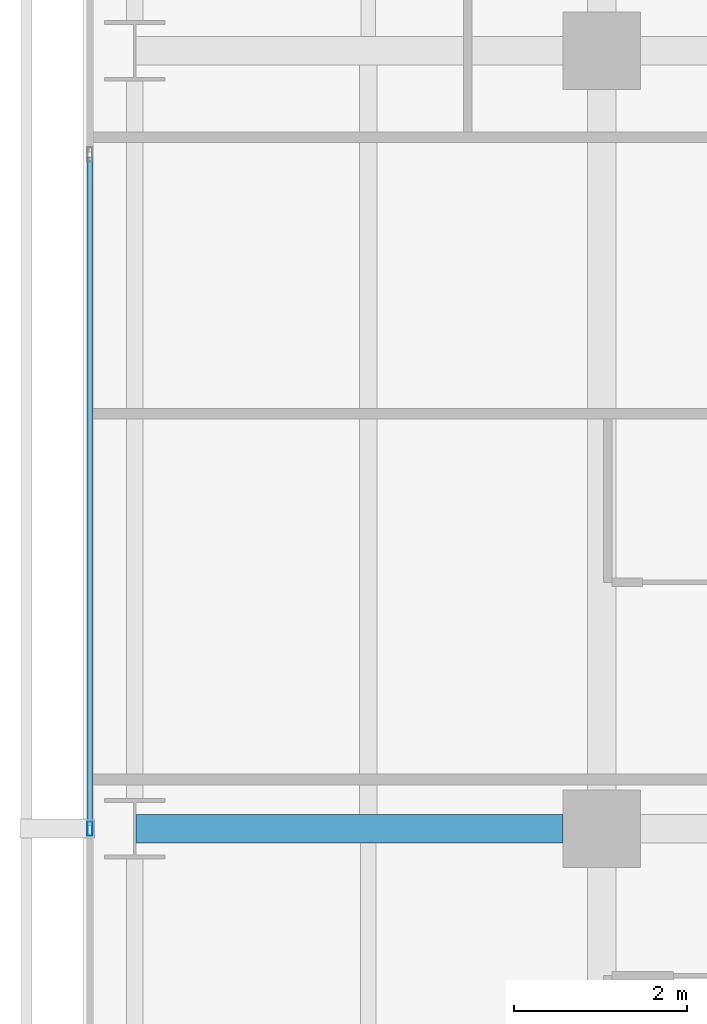
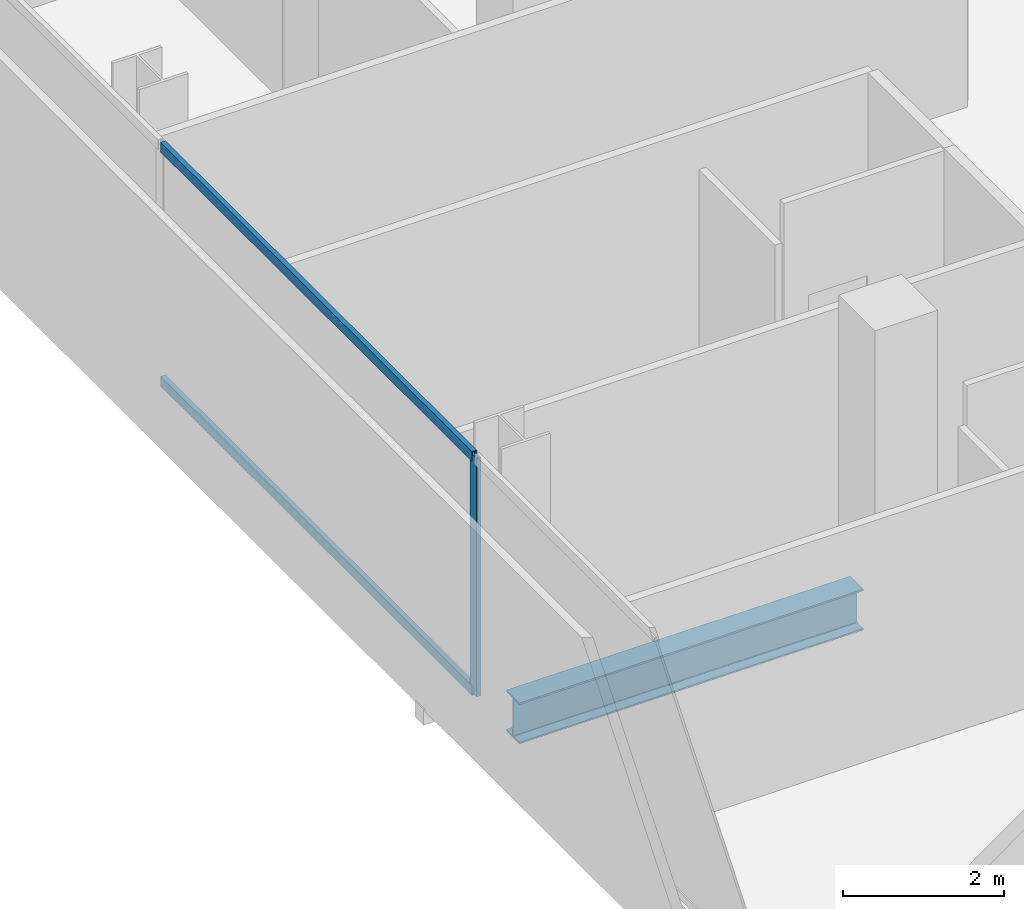
# One storey, part 12 of 40: 3 members, 1 beam, 1 element without a shape of its own.
"""IFC4 building model written with IfcOpenShell, lengths in metres."""

import ifcopenshell
import ifcopenshell.guid

model = None  # the IFC model being written
_history = None  # IfcOwnerHistory: only IFC2X3 demands one
_inside = {}  # id of a spatial element -> (the spatial element, [elements in it])
_under = {}  # id of a project, library or spatial element -> (it, [spatial elements below it])
_declared = {}  # id of a project -> (the project, [libraries it declares])
_typed = {}  # id of a type object -> (the type object, [elements of that type])
_made_of = {}  # id of a material, layer set ... -> (it, [elements and type objects made of it])


def new_model(schema):
    """Start an empty IFC model of exactly this schema.

    Asked for "IFC4X3", IfcOpenShell would pick the latest addendum, in which some entities
    have other attributes; the version numbers below select the first issue.
    IFC2X3 requires an IfcOwnerHistory on every rooted entity: one is made here for all.
    """
    global model, _history
    if schema == "IFC4X3":
        model = ifcopenshell.file(schema_version=(4, 3, 0, 0))
    else:
        model = ifcopenshell.file(schema=schema)
    _inside.clear()
    _under.clear()
    _declared.clear()
    _typed.clear()
    _made_of.clear()
    _history = None
    if model.schema == "IFC2X3":
        org = make("IfcOrganization", Name="unknown")
        user = make(
            "IfcPersonAndOrganization",
            ThePerson=make("IfcPerson", FamilyName="unknown"),
            TheOrganization=org,
        )
        app = make(
            "IfcApplication",
            ApplicationDeveloper=org,
            Version="unknown",
            ApplicationFullName="unknown",
            ApplicationIdentifier="unknown",
        )
        _history = make(
            "IfcOwnerHistory",
            OwningUser=user,
            OwningApplication=app,
            ChangeAction="ADDED",
            CreationDate=0,
        )
    return model


def make(cls, **values):
    """One entity of the class cls with the attributes given. An attribute that is None is left unset."""
    return model.create_entity(
        cls, **{name: value for name, value in values.items() if value is not None}
    )


def rooted(cls, **values):
    """An entity with a GlobalId (a new one), such as an element, a storey or a relation."""
    return make(cls, GlobalId=ifcopenshell.guid.new(), OwnerHistory=_history, **values)


def si_unit(unit_type, name, prefix=None):
    """IfcSIUnit, for example si_unit("LENGTHUNIT", "METRE", prefix="MILLI")."""
    return make("IfcSIUnit", UnitType=unit_type, Prefix=prefix, Name=name)


def assignment(units):
    """IfcUnitAssignment: the units of a project."""
    return None if units is None else make("IfcUnitAssignment", Units=units)


def point(xyz):
    """IfcCartesianPoint."""
    return None if xyz is None else make("IfcCartesianPoint", Coordinates=xyz)


def direction(xyz):
    """IfcDirection."""
    return None if xyz is None else make("IfcDirection", DirectionRatios=xyz)


def frame(location, z_axis=None, x_axis=None):
    """IfcAxis2Placement3D, a coordinate frame: its origin and axes. An axis left out is left unset."""
    return make(
        "IfcAxis2Placement3D",
        Location=point(location),
        Axis=direction(z_axis),
        RefDirection=direction(x_axis),
    )


def frame_2d(location, x_axis=None):
    """IfcAxis2Placement2D, a coordinate frame in the plane: its origin and x axis."""
    return make(
        "IfcAxis2Placement2D", Location=point(location), RefDirection=direction(x_axis)
    )


def origin():
    """The frame at (0, 0, 0) with its axes left unset."""
    return frame((0.0, 0.0, 0.0))


def origin_2d():
    """The frame at (0, 0) in the plane with its x axis left unset."""
    return frame_2d((0.0, 0.0))


def place(relative_to, where):
    """IfcLocalPlacement: puts the frame where relative to a parent placement (None: the world)."""
    return make(
        "IfcLocalPlacement", PlacementRelTo=relative_to, RelativePlacement=where
    )


def context(
    kind, dimensions, precision=None, world=None, true_north=None, identifier=None
):
    """IfcGeometricRepresentationContext, for example the 3D "Model" context."""
    return make(
        "IfcGeometricRepresentationContext",
        ContextIdentifier=identifier,
        ContextType=kind,
        CoordinateSpaceDimension=dimensions,
        Precision=precision,
        WorldCoordinateSystem=world,
        TrueNorth=true_north,
    )


def subcontext(parent, identifier, kind, view, scale=None):
    """IfcGeometricRepresentationSubContext, for example "Body" below "Model"."""
    return make(
        "IfcGeometricRepresentationSubContext",
        ContextIdentifier=identifier,
        ContextType=kind,
        ParentContext=parent,
        TargetScale=scale,
        TargetView=view,
    )


def project(units=None, contexts=None):
    """IfcProject with its units and contexts."""
    return rooted(
        "IfcProject",
        Name="project",
        RepresentationContexts=contexts,
        UnitsInContext=assignment(units),
    )


def spatial(cls, under=None, at=None, **own):
    """A site, building, storey or space (cls), placed at a placement, below another one or the project."""
    s = rooted(cls, ObjectPlacement=at, **own)
    if under is not None:
        _under.setdefault(under.id(), (under, []))[1].append(s)
    return s


def profile(cls, at=None, kind="AREA", **sizes):
    """A parametric profile (cls). Its sizes go by their IFC names, for example OverallWidth=200.0."""
    return make(cls, ProfileType=kind, Position=at, **sizes)


def hollow_rectangle(**sizes):
    """IfcRectangleHollowProfileDef."""
    return profile("IfcRectangleHollowProfileDef", **sizes)


def i_section(**sizes):
    """IfcIShapeProfileDef."""
    return profile("IfcIShapeProfileDef", **sizes)


def extrude(swept, where, along, depth):
    """IfcExtrudedAreaSolid: the profile swept, set in the frame where, extruded along a direction by depth."""
    return make(
        "IfcExtrudedAreaSolid",
        SweptArea=swept,
        Position=where,
        ExtrudedDirection=direction(along),
        Depth=depth,
    )


def shape(context_of_items, identifier, shape_type, items):
    """IfcShapeRepresentation: the items that make up one representation, for example the "Body"."""
    return make(
        "IfcShapeRepresentation",
        ContextOfItems=context_of_items,
        RepresentationIdentifier=identifier,
        RepresentationType=shape_type,
        Items=items,
    )


def material(Name=None, Category=None):
    """IfcMaterial."""
    return make("IfcMaterial", Name=Name, Category=Category)


def layer(
    of_material, thickness, ventilated=None, Name=None, Category=None, Priority=None
):
    """IfcMaterialLayer: one layer of a wall or slab, of a material (None: an air gap)."""
    return make(
        "IfcMaterialLayer",
        Material=of_material,
        LayerThickness=thickness,
        IsVentilated=ventilated,
        Name=Name,
        Category=Category,
        Priority=Priority,
    )


def layer_set(layers, Name=None):
    """IfcMaterialLayerSet."""
    return make("IfcMaterialLayerSet", MaterialLayers=layers, LayerSetName=Name)


def material_profile(
    of_material, cross_section, Name=None, Category=None, Priority=None
):
    """IfcMaterialProfile: a cross section and its material."""
    return make(
        "IfcMaterialProfile",
        Name=Name,
        Material=of_material,
        Profile=cross_section,
        Priority=Priority,
        Category=Category,
    )


def profile_set(profiles, Name=None, composite=None):
    """IfcMaterialProfileSet."""
    return make(
        "IfcMaterialProfileSet",
        Name=Name,
        MaterialProfiles=profiles,
        CompositeProfile=composite,
    )


def made_of(thing, what):
    """Note that an element or type object is made of a material, layer set ...; save() writes the relation."""
    if what is not None:
        _made_of.setdefault(what.id(), (what, []))[1].append(thing)
    return thing


def type_object(cls, material=None, **own):
    """A type object (cls), such as IfcWallType, which elements share."""
    return made_of(rooted(cls, **own), material)


def element(
    cls,
    number,
    at=None,
    inside=None,
    cuts=None,
    type_object=None,
    material=None,
    context=None,
    identifier="Body",
    shape_type=None,
    held_by="IfcProductDefinitionShape",
    body=None,
    shapes=None,
    **own,
):
    """One element of the class cls, such as IfcWall. Its Tag is "e" and its number.

    at: its placement. inside: the storey or other place that contains it. cuts: it is an
    opening in that element (IfcRelVoidsElement). A single representation is given by context,
    identifier, shape_type and body (its items); several are given by shapes. held_by: the class
    of the entity that holds the representations. save() writes the other relations.
    """
    e = rooted(cls, Tag="e%d" % number, ObjectPlacement=at, **own)
    if body is not None:
        shapes = [shape(context, identifier, shape_type, body)]
    if shapes is not None:
        e.Representation = make(held_by, Representations=shapes)
    if inside is not None:
        _inside.setdefault(inside.id(), (inside, []))[1].append(e)
    if cuts is not None:
        rooted(
            "IfcRelVoidsElement", RelatingBuildingElement=cuts, RelatedOpeningElement=e
        )
    if type_object is not None:
        _typed.setdefault(type_object.id(), (type_object, []))[1].append(e)
    return made_of(e, material)


def aggregate(whole, parts):
    """IfcRelAggregates: a whole, such as a stair, and the parts it consists of."""
    return rooted("IfcRelAggregates", RelatingObject=whole, RelatedObjects=parts)


def save(model, path):
    """Write the relations noted so far, then the file.

    IfcRelAggregates (storeys below a building ...), IfcRelContainedInSpatialStructure (elements
    in a storey), IfcRelDefinesByType, IfcRelAssociatesMaterial and IfcRelDeclares: one each for
    every whole, place, type object, material and project.
    """
    for whole, parts in _under.values():
        aggregate(whole, parts)
    for where, things in _inside.values():
        rooted(
            "IfcRelContainedInSpatialStructure",
            RelatedElements=things,
            RelatingStructure=where,
        )
    for kind, things in _typed.values():
        rooted("IfcRelDefinesByType", RelatedObjects=things, RelatingType=kind)
    for what, things in _made_of.values():
        rooted("IfcRelAssociatesMaterial", RelatedObjects=things, RelatingMaterial=what)
    for by, libraries in _declared.values():
        rooted("IfcRelDeclares", RelatingContext=by, RelatedDefinitions=libraries)
    model.write(path)


model = new_model("IFC4")

# Units and contexts
model_context = context("Model", 3, precision=1e-05, world=origin(), true_north=direction((0.0, 1.0)))
body_context = subcontext(model_context, "Body", "Model", "MODEL_VIEW")
ifc_project = project(units=[si_unit("LENGTHUNIT", "METRE"), si_unit("AREAUNIT", "SQUARE_METRE"), si_unit("VOLUMEUNIT", "CUBIC_METRE"), si_unit("PLANEANGLEUNIT", "RADIAN"), si_unit("MASSUNIT", "GRAM", prefix="KILO")], contexts=[model_context])

# Site, building, storey
site_placement = place(None, origin())
site = spatial("IfcSite", under=ifc_project, at=site_placement, CompositionType="ELEMENT")
building_placement = place(site_placement, origin())
building = spatial("IfcBuilding", under=site, at=building_placement, Name="Maruvema Waterfront Hotel and Observation Tower", CompositionType="ELEMENT")
storey_placement = place(building_placement, frame((0.0, 0.0, 38.5)))
storey = spatial("IfcBuildingStorey", under=building, at=storey_placement, Name="L08", CompositionType="ELEMENT", Elevation=38.5)

# Curtain wall, members
ifc_material_1 = material(Name="Anodised bronze aluminium and solar-control low-E IGU", Category="aluminium")
ifc_layer = layer(ifc_material_1, 0.159912109375, Name="Zone 1 Bronze Inner Thermal Curtain Wall System CW-02")
ifc_layer_set = layer_set([ifc_layer], Name="Anodised bronze aluminium and solar-control low-E IGU")
curtain_wall_type = type_object("IfcCurtainWallType", Name="Zone 1 Bronze Inner Thermal Curtain Wall System CW-02", PredefinedType="USERDEFINED", material=ifc_layer_set)
curtain_wall_placement = place(storey_placement, origin())
curtain_wall = element("IfcCurtainWall", 1, at=curtain_wall_placement, inside=storey, type_object=curtain_wall_type, Name="L08 Curtain Wall CW-L08-W", ObjectType="UNITISED CURTAIN WALL", PredefinedType="USERDEFINED")
ifc_material_2 = material(Name="Anodised architectural bronze aluminium", Category="aluminium")
ifc_material_profile_1 = material_profile(ifc_material_2, hollow_rectangle(XDim=0.070068359375, YDim=0.14990234375, WallThickness=0.00390625, at=origin_2d()), Name="ALU-T70x150")
ifc_profile_set_1 = profile_set([ifc_material_profile_1], Name="Anodised architectural bronze aluminium")
member_type_1 = type_object("IfcMemberType", Name="Curtain Wall Horizontal Transom ALU-T70x150", PredefinedType="USERDEFINED", material=ifc_profile_set_1)
member_1_placement = place(storey_placement, frame((10.8798828125, 34.77001953125, 0.030029296875), z_axis=(0.0, -1.0, 0.0), x_axis=(1.0, 0.0, 0.0)))
member_1 = element("IfcMember", 2, at=member_1_placement, type_object=member_type_1, Name="CW-02 transom 3.1", ObjectType="TRANSOM", PredefinedType="USERDEFINED", context=body_context, shape_type="SweptSolid", body=[
    extrude(hollow_rectangle(XDim=0.070068359375, YDim=0.14990234375, WallThickness=0.00390625, at=origin_2d()), origin(), (0.0, 0.0, 1.0), 7.739990234375),
])
member_2_placement = place(storey_placement, frame((10.8798828125, 34.77001953125, 3.580078125), z_axis=(0.0, -1.0, 0.0), x_axis=(1.0, 0.0, 0.0)))
member_2 = element("IfcMember", 3, at=member_2_placement, type_object=member_type_1, Name="CW-02 transom 3.2", ObjectType="TRANSOM", PredefinedType="USERDEFINED", context=body_context, shape_type="SweptSolid", body=[
    extrude(hollow_rectangle(XDim=0.070068359375, YDim=0.14990234375, WallThickness=0.00390625, at=origin_2d()), origin(), (0.0, 0.0, 1.0), 7.739990234375),
])
ifc_material_3 = material(Name="Anodised architectural bronze aluminium", Category="aluminium")
ifc_material_profile_2 = material_profile(ifc_material_3, hollow_rectangle(XDim=0.06494140625, YDim=0.1650390625, WallThickness=0.00390625, at=origin_2d()), Name="ALU-M65x165")
ifc_profile_set_2 = profile_set([ifc_material_profile_2], Name="Anodised architectural bronze aluminium")
member_type_2 = type_object("IfcMemberType", Name="Curtain Wall Primary Mullion ALU-M65x165", PredefinedType="MULLION", material=ifc_profile_set_2)
member_3_placement = place(storey_placement, frame((10.8798828125, 27.0, 0.0), z_axis=(0.0, 0.0, 1.0), x_axis=(1.0, 0.0, 0.0)))
member_3 = element("IfcMember", 4, at=member_3_placement, type_object=member_type_2, Name="CW-02 mullion 4", PredefinedType="MULLION", context=body_context, shape_type="SweptSolid", body=[
    extrude(hollow_rectangle(XDim=0.06494140625, YDim=0.1650390625, WallThickness=0.00390625, at=origin_2d()), origin(), (0.0, 0.0, 1.0), 3.610107421875),
])
aggregate(curtain_wall, [member_3, member_1, member_2])

# Beam
ifc_material_4 = material(Name="Steel ASTM A572 Grade 50", Category="steel")
ifc_material_profile_3 = material_profile(ifc_material_4, i_section(OverallWidth=0.326904296875, OverallDepth=0.6220703125, WebThickness=0.015380859375, FlangeThickness=0.0244140625, FilletRadius=0.01806640625, at=origin_2d()), Name="W610x195.0")
ifc_profile_set_3 = profile_set([ifc_material_profile_3], Name="Steel ASTM A572 Grade 50")
beam_type = type_object("IfcBeamType", Name="Primary Floor Girder W610x195.0", PredefinedType="BEAM", material=ifc_profile_set_3)
beam_placement = place(storey_placement, frame((11.4140625, 27.0, -0.551025390625), z_axis=(1.0, 0.0, 0.0), x_axis=(0.0, 1.0, 0.0)))
element("IfcBeam", 5, at=beam_placement, inside=storey, type_object=beam_type, Name="L08 Floor Girder EW-20", PredefinedType="BEAM", context=body_context, shape_type="SweptSolid", body=[
    extrude(i_section(OverallWidth=0.326904296875, OverallDepth=0.6220703125, WebThickness=0.015380859375, FlangeThickness=0.0244140625, FilletRadius=0.01806640625, at=origin_2d()), origin(), (0.0, 0.0, 1.0), 4.93603515625),
])

save(model, "model.ifc")
